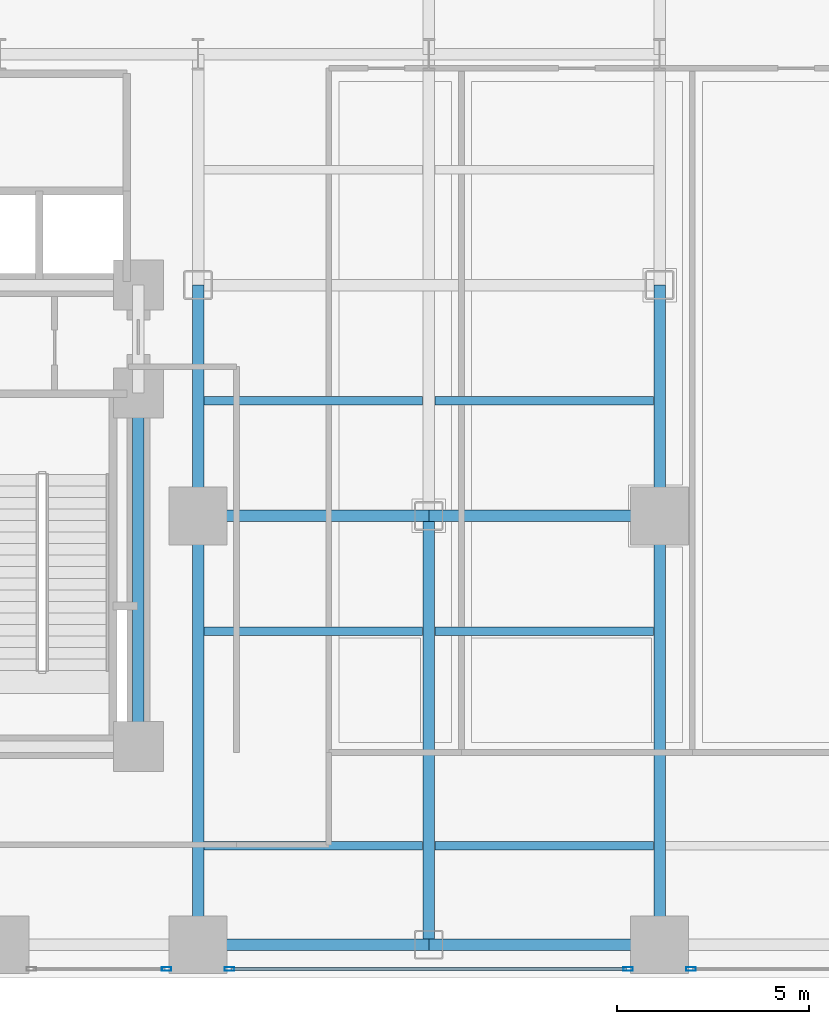
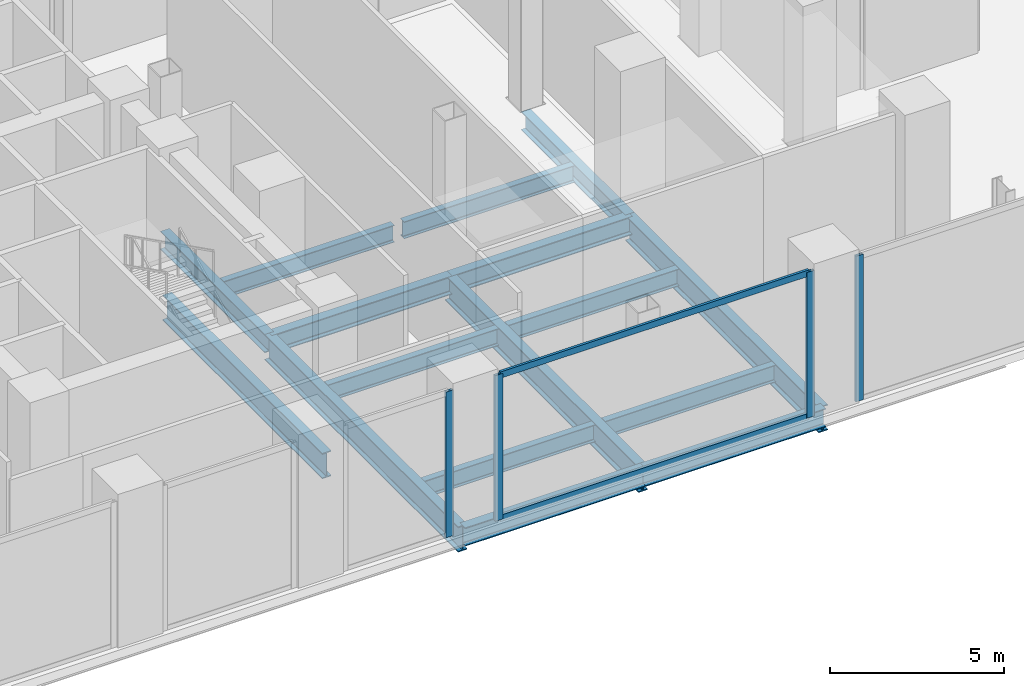
# One storey, part 9 of 27: 16 beams, 6 members, 3 elements without a shape of their own.
"""IFC4 building model written with IfcOpenShell, lengths in metres."""

from ifc_helpers import new_model, si_unit, direction, frame, origin, origin_2d, place, context, subcontext, project, spatial, hollow_rectangle, i_section, extrude, material, layer, layer_set, material_profile, profile_set, type_object, element, aggregate, save


model = new_model("IFC4")

# Units and contexts
model_context = context("Model", 3, precision=1e-05, world=origin(), true_north=direction((0.0, 1.0)))
body_context = subcontext(model_context, "Body", "Model", "MODEL_VIEW")
ifc_project = project(units=[si_unit("LENGTHUNIT", "METRE"), si_unit("AREAUNIT", "SQUARE_METRE"), si_unit("VOLUMEUNIT", "CUBIC_METRE"), si_unit("PLANEANGLEUNIT", "RADIAN"), si_unit("MASSUNIT", "GRAM", prefix="KILO"), si_unit("THERMODYNAMICTEMPERATUREUNIT", "KELVIN"), si_unit("POWERUNIT", "WATT")], contexts=[model_context])

# Site, building, storey
site_placement = place(None, origin())
site = spatial("IfcSite", under=ifc_project, at=site_placement, CompositionType="ELEMENT")
building_placement = place(site_placement, origin())
building = spatial("IfcBuilding", under=site, at=building_placement, Name="Svarakhadi Broadcast Tower", CompositionType="ELEMENT")
storey_placement = place(building_placement, frame((0.0, 0.0, 16.5)))
storey = spatial("IfcBuildingStorey", under=building, at=storey_placement, Name="L03", CompositionType="ELEMENT", Elevation=16.5)

# Beams
ifc_material_1 = material(Name="Steel S355J2 (IS 2062 E350C)", Category="steel")
ifc_material_profile_1 = material_profile(ifc_material_1, i_section(OverallWidth=0.219970703125, OverallDepth=0.60009765625, WebThickness=0.011962890625, FlangeThickness=0.01904296875, FilletRadius=0.02392578125, at=origin_2d()), Name="NPB 600x220x122")
ifc_profile_set_1 = profile_set([ifc_material_profile_1], Name="Steel S355J2 (IS 2062 E350C)")
beam_type_1 = type_object("IfcBeamType", Name="Beam_NPB600", PredefinedType="BEAM", material=ifc_profile_set_1)
for number, where, z_axis, x_axis, name in (
    (1, (35.31005859375, 3.425048828125, -0.60009765625), (1.0, 0.0, 0.0), (0.0, 1.0, 0.0), "L03 Secondary Composite Beam SB017"),
    (2, (35.31005859375, 9.0, -0.60009765625), (1.0, 0.0, 0.0), (0.0, 1.0, 0.0), "L03 Secondary Composite Beam SB018"),
    (3, (35.31005859375, 15.0, -0.60009765625), (1.0, 0.0, 0.0), (0.0, 1.0, 0.0), "L03 Secondary Composite Beam SB019"),
    (4, (41.31005859375, 3.425048828125, -0.60009765625), (1.0, 0.0, 0.0), (0.0, 1.0, 0.0), "L03 Secondary Composite Beam SB021"),
    (5, (41.31005859375, 9.0, -0.60009765625), (1.0, 0.0, 0.0), (0.0, 1.0, 0.0), "L03 Secondary Composite Beam SB022"),
    (6, (41.31005859375, 15.0, -0.60009765625), (1.0, 0.0, 0.0), (0.0, 1.0, 0.0), "L03 Secondary Composite Beam SB023"),
):
    element("IfcBeam", number, at=place(storey_placement, frame(where, z_axis=z_axis, x_axis=x_axis)), inside=storey, type_object=beam_type_1, Name=name, PredefinedType="BEAM", context=body_context, shape_type="SweptSolid", body=[
        extrude(i_section(OverallWidth=0.219970703125, OverallDepth=0.60009765625, WebThickness=0.011962890625, FlangeThickness=0.01904296875, FilletRadius=0.02392578125, at=origin_2d()), origin(), (0.0, 0.0, 1.0), 5.679931640625),
    ])

# Curtain wall, member
ifc_material_2 = material(Name="Anodised Bronze Aluminium AA 6063-T6", Category="aluminium")
ifc_layer = layer(ifc_material_2, 0.25)
ifc_layer_set = layer_set([ifc_layer], Name="Anodised Bronze Aluminium AA 6063-T6")
curtain_wall_type = type_object("IfcCurtainWallType", Name="CW_Sys_01", PredefinedType="NOTDEFINED", material=ifc_layer_set)
curtain_wall_1_placement = place(storey_placement, origin())
curtain_wall_1 = element("IfcCurtainWall", 7, at=curtain_wall_1_placement, inside=storey, type_object=curtain_wall_type, Name="L03 South Curtain Wall 11 Bay 1", PredefinedType="NOTDEFINED")
ifc_material_profile_2 = material_profile(ifc_material_2, hollow_rectangle(XDim=0.094970703125, YDim=0.25, WallThickness=0.006103515625, at=origin_2d()), Name="ALU MULLION 250x95x6")
ifc_profile_set_2 = profile_set([ifc_material_profile_2], Name="Anodised Bronze Aluminium AA 6063-T6")
member_type_1 = type_object("IfcMemberType", Name="CW_Sys_01_Mul", PredefinedType="MULLION", material=ifc_profile_set_2)
member_1_placement = place(storey_placement, frame((47.967529296875, 0.219970703125, 0.0), z_axis=(0.0, 0.0, 1.0), x_axis=(0.0, -1.0, 0.0)))
member_1 = element("IfcMember", 8, at=member_1_placement, type_object=member_type_1, Name="CW-01 mullion 3", PredefinedType="MULLION", context=body_context, shape_type="SweptSolid", body=[
    extrude(hollow_rectangle(XDim=0.094970703125, YDim=0.25, WallThickness=0.006103515625, at=origin_2d()), origin(), (0.0, 0.0, 1.0), 5.125),
])
aggregate(curtain_wall_1, [member_1])

# Curtain wall, members
curtain_wall_2_placement = place(storey_placement, origin())
curtain_wall_2 = element("IfcCurtainWall", 9, at=curtain_wall_2_placement, inside=storey, type_object=curtain_wall_type, Name="L03 South Curtain Wall 11 Bay 2", PredefinedType="NOTDEFINED")
member_2_placement = place(storey_placement, frame((46.33251953125, 0.219970703125, 0.0), z_axis=(0.0, 0.0, 1.0), x_axis=(0.0, -1.0, 0.0)))
member_2 = element("IfcMember", 10, at=member_2_placement, type_object=member_type_1, Name="CW-01 mullion 1", PredefinedType="MULLION", context=body_context, shape_type="SweptSolid", body=[
    extrude(hollow_rectangle(XDim=0.094970703125, YDim=0.25, WallThickness=0.006103515625, at=origin_2d()), origin(), (0.0, 0.0, 1.0), 5.125),
])
member_3_placement = place(storey_placement, frame((35.967529296875, 0.219970703125, 0.0), z_axis=(0.0, 0.0, 1.0), x_axis=(0.0, -1.0, 0.0)))
member_3 = element("IfcMember", 11, at=member_3_placement, type_object=member_type_1, Name="CW-01 mullion 2", PredefinedType="MULLION", context=body_context, shape_type="SweptSolid", body=[
    extrude(hollow_rectangle(XDim=0.094970703125, YDim=0.25, WallThickness=0.006103515625, at=origin_2d()), origin(), (0.0, 0.0, 1.0), 5.125),
])

# Curtain wall, member
curtain_wall_3_placement = place(storey_placement, origin())
curtain_wall_3 = element("IfcCurtainWall", 12, at=curtain_wall_3_placement, inside=storey, type_object=curtain_wall_type, Name="L03 South Curtain Wall 11 Bay 3", PredefinedType="NOTDEFINED")
member_4_placement = place(storey_placement, frame((34.33251953125, 0.219970703125, 0.0), z_axis=(0.0, 0.0, 1.0), x_axis=(0.0, -1.0, 0.0)))
member_4 = element("IfcMember", 13, at=member_4_placement, type_object=member_type_1, Name="CW-01 mullion 1", PredefinedType="MULLION", context=body_context, shape_type="SweptSolid", body=[
    extrude(hollow_rectangle(XDim=0.094970703125, YDim=0.25, WallThickness=0.006103515625, at=origin_2d()), origin(), (0.0, 0.0, 1.0), 5.125),
])
aggregate(curtain_wall_3, [member_4])

# Member
ifc_material_profile_3 = material_profile(ifc_material_2, hollow_rectangle(XDim=0.0849609375, YDim=0.219970703125, WallThickness=0.0048828125, at=origin_2d()), Name="ALU TRANSOM 220x85x5")
ifc_profile_set_3 = profile_set([ifc_material_profile_3], Name="Anodised Bronze Aluminium AA 6063-T6")
member_type_2 = type_object("IfcMemberType", Name="CW_Sys_01_Trn", PredefinedType="USERDEFINED", material=ifc_profile_set_3)
member_5_placement = place(storey_placement, frame((46.284912109375, 0.219970703125, 0.04248046875), z_axis=(-1.0, 0.0, 0.0), x_axis=(0.0, -1.0, 0.0)))
member_5 = element("IfcMember", 14, at=member_5_placement, type_object=member_type_2, Name="CW-01 transom 1.1", ObjectType="TRANSOM", PredefinedType="USERDEFINED", context=body_context, shape_type="SweptSolid", body=[
    extrude(hollow_rectangle(XDim=0.0849609375, YDim=0.219970703125, WallThickness=0.0048828125, at=origin_2d()), origin(), (0.0, 0.0, 1.0), 10.27001953125),
])

member_6_placement = place(storey_placement, frame((46.284912109375, 0.219970703125, 5.08251953125), z_axis=(-1.0, 0.0, 0.0), x_axis=(0.0, -1.0, 0.0)))
member_6 = element("IfcMember", 15, at=member_6_placement, type_object=member_type_2, Name="CW-01 transom 1.2", ObjectType="TRANSOM", PredefinedType="USERDEFINED", context=body_context, shape_type="SweptSolid", body=[
    extrude(hollow_rectangle(XDim=0.0849609375, YDim=0.219970703125, WallThickness=0.0048828125, at=origin_2d()), origin(), (0.0, 0.0, 1.0), 10.27001953125),
])

aggregate(curtain_wall_2, [member_2, member_3, member_5, member_6])

# Beams
ifc_material_profile_4 = material_profile(ifc_material_1, i_section(OverallWidth=0.300048828125, OverallDepth=0.64990234375, WebThickness=0.01611328125, FlangeThickness=0.031005859375, FilletRadius=0.027099609375, at=origin_2d()), Name="WPB 650x300x225")
ifc_profile_set_4 = profile_set([ifc_material_profile_4], Name="Steel S355J2 (IS 2062 E350C)")
beam_type_2 = type_object("IfcBeamType", Name="Girder_WPB650", PredefinedType="USERDEFINED", material=ifc_profile_set_4)
for number, where, z_axis, x_axis, name in (
    (16, (35.14990234375, 0.85009765625, -0.625), (1.0, 0.0, 0.0), (0.0, 1.0, 0.0), "L03 Primary E-W Girder G009"),
    (17, (41.14990234375, 0.85009765625, -0.625), (1.0, 0.0, 0.0), (0.0, 1.0, 0.0), "L03 Primary E-W Girder G010"),
    (18, (35.14990234375, 12.0, -0.625), (1.0, 0.0, 0.0), (0.0, 1.0, 0.0), "L03 Primary E-W Girder G018"),
    (19, (41.14990234375, 12.0, -0.625), (1.0, 0.0, 0.0), (0.0, 1.0, 0.0), "L03 Primary E-W Girder G019"),
    (20, (35.14990234375, 12.0, -0.625), (0.0, 1.0, 0.0), (-1.0, 0.0, 0.0), "L03 Primary N-S Girder G073"),
    (21, (47.14990234375, 12.0, -0.625), (0.0, 1.0, 0.0), (-1.0, 0.0, 0.0), "L03 Primary N-S Girder G080"),
):
    element("IfcBeam", number, at=place(storey_placement, frame(where, z_axis=z_axis, x_axis=x_axis)), inside=storey, type_object=beam_type_2, Name=name, ObjectType="GIRDER", PredefinedType="USERDEFINED", context=body_context, shape_type="SweptSolid", body=[
        extrude(i_section(OverallWidth=0.300048828125, OverallDepth=0.64990234375, WebThickness=0.01611328125, FlangeThickness=0.031005859375, FilletRadius=0.027099609375, at=origin_2d()), origin(), (0.0, 0.0, 1.0), 6.0),
    ])
ifc_material_3 = material(Name="Steel S460ML (IS 2062 E450BR)", Category="steel")
ifc_material_profile_5 = material_profile(ifc_material_3, i_section(OverallWidth=0.300048828125, OverallDepth=0.89990234375, WebThickness=0.0185546875, FlangeThickness=0.034912109375, FilletRadius=0.030029296875, at=origin_2d()), Name="WPB 900x300x291")
ifc_profile_set_5 = profile_set([ifc_material_profile_5], Name="Steel S460ML (IS 2062 E450BR)")
beam_type_3 = type_object("IfcBeamType", Name="Girder_WPB900", PredefinedType="USERDEFINED", material=ifc_profile_set_5)
beam_placement = place(storey_placement, frame((33.60009765625, 6.0, -0.75), z_axis=(0.0, 1.0, 0.0), x_axis=(-1.0, 0.0, 0.0)))
element("IfcBeam", 22, at=beam_placement, inside=storey, type_object=beam_type_3, Name="L03 Primary N-S Girder G070", ObjectType="GIRDER", PredefinedType="USERDEFINED", context=body_context, shape_type="SweptSolid", body=[
    extrude(i_section(OverallWidth=0.300048828125, OverallDepth=0.89990234375, WebThickness=0.0185546875, FlangeThickness=0.034912109375, FilletRadius=0.030029296875, at=origin_2d()), origin(), (0.0, 0.0, 1.0), 9.199951171875),
])
for number, where, z_axis, x_axis, name in (
    (23, (35.14990234375, 0.85009765625, -0.75), (0.0, 1.0, 0.0), (-1.0, 0.0, 0.0), "L03 Primary N-S Girder G072"),
    (24, (41.14990234375, 0.85009765625, -0.75), (0.0, 1.0, 0.0), (-1.0, 0.0, 0.0), "L03 Primary N-S Girder G075"),
    (25, (47.14990234375, 0.85009765625, -0.75), (0.0, 1.0, 0.0), (-1.0, 0.0, 0.0), "L03 Primary N-S Girder G079"),
):
    element("IfcBeam", number, at=place(storey_placement, frame(where, z_axis=z_axis, x_axis=x_axis)), inside=storey, type_object=beam_type_3, Name=name, ObjectType="GIRDER", PredefinedType="USERDEFINED", context=body_context, shape_type="SweptSolid", body=[
        extrude(i_section(OverallWidth=0.300048828125, OverallDepth=0.89990234375, WebThickness=0.0185546875, FlangeThickness=0.034912109375, FilletRadius=0.030029296875, at=origin_2d()), origin(), (0.0, 0.0, 1.0), 11.14990234375),
    ])

save(model, "model.ifc")
